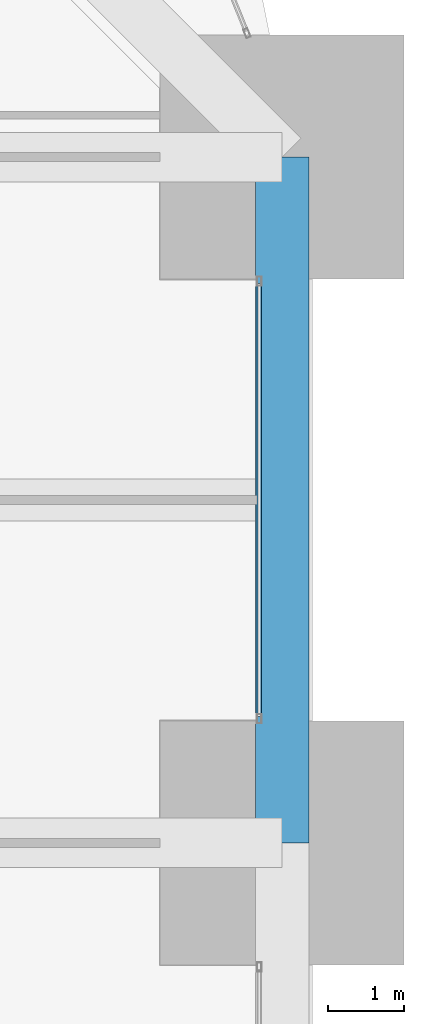
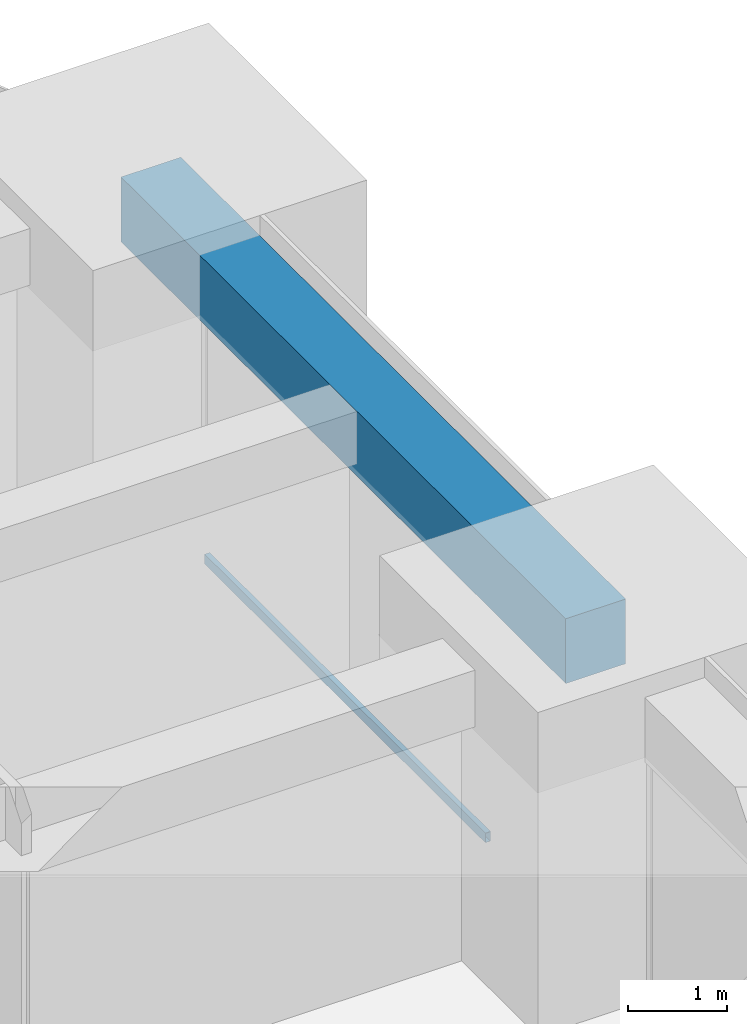
# One storey, part 26 of 43: 1 beam, 1 member, 1 element without a shape of its own.
"""IFC4 building model written with IfcOpenShell, lengths in metres."""

from ifc_helpers import new_model, si_unit, direction, frame, origin, origin_2d, place, context, subcontext, project, spatial, rectangle, hollow_rectangle, extrude, material, material_profile, profile_set, type_object, element, aggregate, save


model = new_model("IFC4")

# Units and contexts
model_context = context("Model", 3, precision=1e-05, world=origin(), true_north=direction((0.0, 1.0)))
body_context = subcontext(model_context, "Body", "Model", "MODEL_VIEW")
ifc_project = project(units=[si_unit("LENGTHUNIT", "METRE"), si_unit("AREAUNIT", "SQUARE_METRE"), si_unit("VOLUMEUNIT", "CUBIC_METRE"), si_unit("PLANEANGLEUNIT", "RADIAN"), si_unit("MASSUNIT", "GRAM", prefix="KILO")], contexts=[model_context])

# Site, building, storey
site_placement = place(None, origin())
site = spatial("IfcSite", under=ifc_project, at=site_placement, CompositionType="ELEMENT")
building_placement = place(site_placement, origin())
building = spatial("IfcBuilding", under=site, at=building_placement, Name="Zorevar Civic Tower", CompositionType="ELEMENT")
storey_placement = place(building_placement, frame((0.0, 0.0, 243.39990234375)))
storey = spatial("IfcBuildingStorey", under=building, at=storey_placement, Name="L59", CompositionType="ELEMENT", Elevation=243.39990234375)

# Curtain wall, member
ifc_material_1 = material(Name="Dark grey solar-control glass in black aluminium frame", Category="aluminium")
curtain_wall_type = type_object("IfcCurtainWallType", Name="Curtain wall CW5 top zone", PredefinedType="NOTDEFINED", material=ifc_material_1)
curtain_wall_placement = place(storey_placement, origin())
curtain_wall = element("IfcCurtainWall", 1, at=curtain_wall_placement, inside=storey, type_object=curtain_wall_type, Name="CW5 L59", PredefinedType="NOTDEFINED")
ifc_material_2 = material(Name="Aluminium, black anodised", Category="aluminium")
ifc_material_profile_1 = material_profile(ifc_material_2, hollow_rectangle(XDim=0.06005859375, YDim=0.1201171875, WallThickness=0.0029296875, at=origin_2d()), Name="AL 120x60x3")
ifc_profile_set_1 = profile_set([ifc_material_profile_1], Name="Aluminium, black anodised")
member_type = type_object("IfcMemberType", Name="CW5 transom AL 120x60x3", PredefinedType="USERDEFINED", material=ifc_profile_set_1)
member_placement = place(storey_placement, frame((53.699951171875, 28.659912109375, 0.030029296875), z_axis=(0.0, 1.0, 0.0), x_axis=(-1.0, 0.0, 0.0)))
member = element("IfcMember", 2, at=member_placement, type_object=member_type, Name="CW5 sill transom", ObjectType="TRANSOM", PredefinedType="USERDEFINED", context=body_context, shape_type="SweptSolid", body=[
    extrude(hollow_rectangle(XDim=0.06005859375, YDim=0.1201171875, WallThickness=0.0029296875, at=origin_2d()), origin(), (0.0, 0.0, 1.0), 5.68017578125),
])
aggregate(curtain_wall, [member])

# Beam
ifc_material_3 = material(Name="Concrete C50/60", Category="concrete")
ifc_material_profile_2 = material_profile(ifc_material_3, rectangle(XDim=0.699951171875, YDim=0.800048828125, at=origin_2d()), Name="RC 700x800")
ifc_profile_set_2 = profile_set([ifc_material_profile_2], Name="Concrete C50/60")
beam_type = type_object("IfcBeamType", Name="Edge beam RC 700x800", PredefinedType="SPANDREL", material=ifc_profile_set_2)
beam_placement = place(storey_placement, frame((54.0, 27.0, 3.35009765625), z_axis=(0.0, 1.0, 0.0), x_axis=(-1.0, 0.0, 0.0)))
element("IfcBeam", 3, at=beam_placement, inside=storey, type_object=beam_type, Name="Edge beam L60", PredefinedType="SPANDREL", context=body_context, shape_type="SweptSolid", body=[
    extrude(rectangle(XDim=0.699951171875, YDim=0.800048828125, at=origin_2d()), origin(), (0.0, 0.0, 1.0), 9.0),
])

save(model, "model.ifc")
